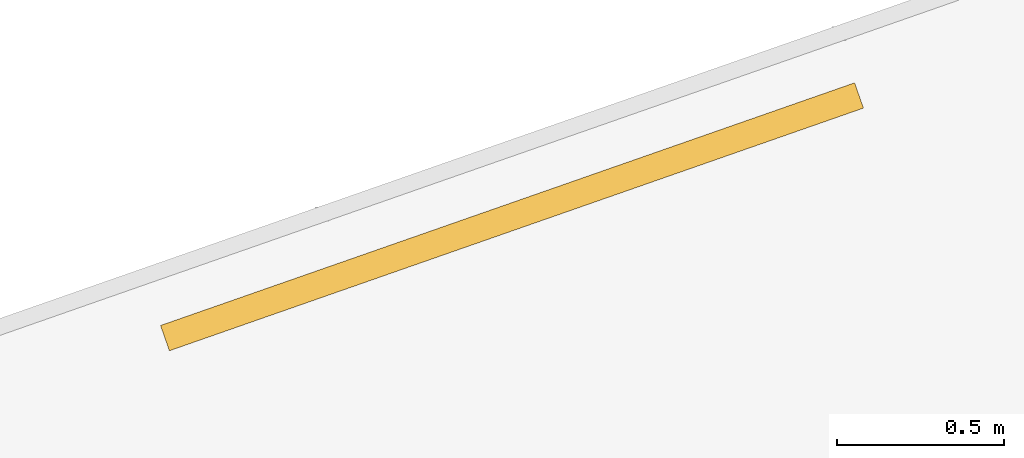
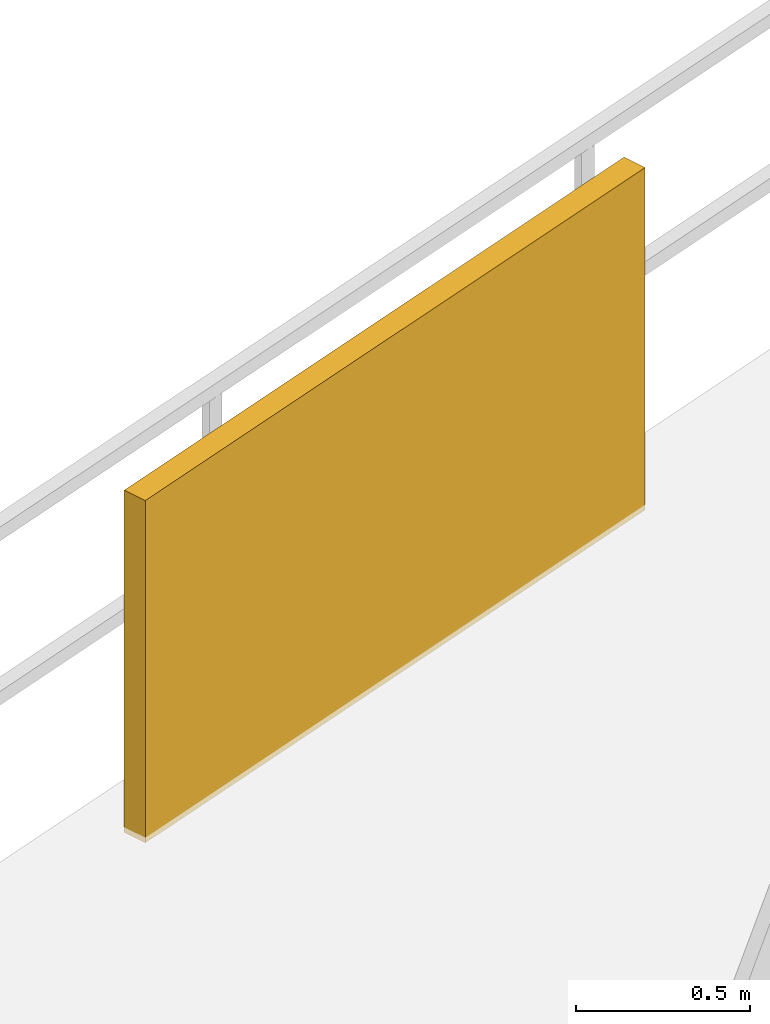
# One storey, part 30 of 31: 1 shading device.
"""IFC4 building model written with IfcOpenShell, lengths in metres."""

from ifc_helpers import new_model, si_unit, direction, frame, origin, origin_2d, place, context, subcontext, project, spatial, rectangle, extrude, material, type_object, element, save


model = new_model("IFC4")

# Units and contexts
model_context = context("Model", 3, precision=1e-05, world=origin(), true_north=direction((0.0, 1.0)))
body_context = subcontext(model_context, "Body", "Model", "MODEL_VIEW")
ifc_project = project(units=[si_unit("LENGTHUNIT", "METRE"), si_unit("AREAUNIT", "SQUARE_METRE"), si_unit("VOLUMEUNIT", "CUBIC_METRE"), si_unit("PLANEANGLEUNIT", "RADIAN"), si_unit("MASSUNIT", "GRAM", prefix="KILO")], contexts=[model_context])

# Site, building, storey
site_placement = place(None, origin())
site = spatial("IfcSite", under=ifc_project, at=site_placement, CompositionType="ELEMENT")
building_placement = place(site_placement, origin())
building = spatial("IfcBuilding", under=site, at=building_placement, Name="Vorneva Point Tower", CompositionType="ELEMENT")
storey_placement = place(building_placement, frame((0.0, 0.0, 136.10009765625)))
storey = spatial("IfcBuildingStorey", under=building, at=storey_placement, Name="L36", CompositionType="ELEMENT", Elevation=136.10009765625)

# Shading device
ifc_material = material(Name="Pale anodised aluminium", Category="aluminium")
shading_device_type = type_object("IfcShadingDeviceType", Name="SHD-JAL-1200", PredefinedType="JALOUSIE", material=ifc_material)
shading_device_placement = place(storey_placement, frame((20.99560546875, 41.84619140625, -0.02001953125), z_axis=(0.0, 0.0, 1.0), x_axis=(-0.94396811905, -0.330036649809, 0.0)))
element("IfcShadingDevice", 1, at=shading_device_placement, inside=storey, type_object=shading_device_type, Name="L36 Balcony Vertical-Greenery Planter Screen NW.2", PredefinedType="JALOUSIE", context=body_context, shape_type="SweptSolid", body=[
    extrude(rectangle(XDim=2.199951171875, YDim=0.080078125, at=origin_2d()), origin(), (0.0, 0.0, 1.0), 1.199951171875),
])

save(model, "model.ifc")
